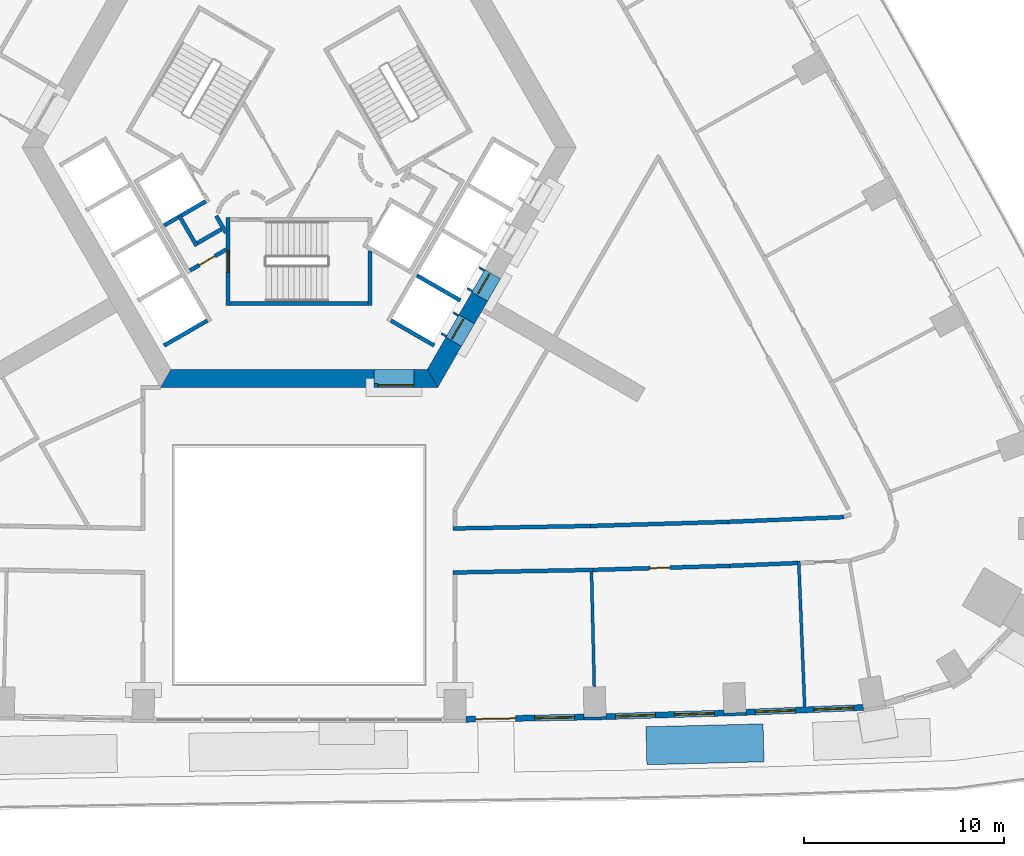
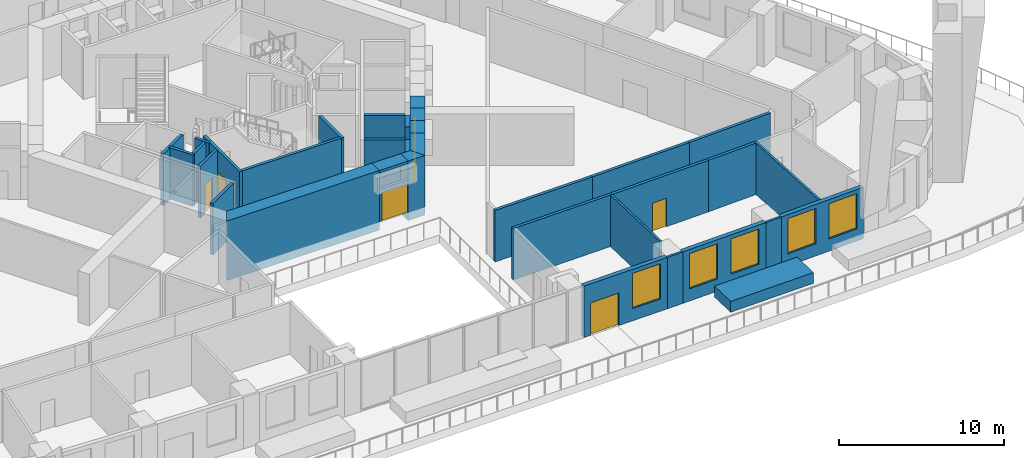
# One storey, part 6 of 16: 35 walls, 7 doors, 5 windows, 12 openings.
"""IFC4 building model written with IfcOpenShell, lengths in metres."""

from ifc_helpers import new_model, si_unit, direction, frame, frame_2d, origin, place, context, subcontext, project, spatial, polyline, rectangle, outline, extrude, material, layer, layer_set, type_object, element, fill, save


model = new_model("IFC4")

# Units and contexts
model_context = context("Model", 3, precision=1e-05, world=origin(), true_north=direction((0.0, 1.0)))
body_context = subcontext(model_context, "Body", "Model", "MODEL_VIEW")
ifc_project = project(units=[si_unit("LENGTHUNIT", "METRE"), si_unit("AREAUNIT", "SQUARE_METRE"), si_unit("VOLUMEUNIT", "CUBIC_METRE"), si_unit("PLANEANGLEUNIT", "RADIAN"), si_unit("MASSUNIT", "GRAM", prefix="KILO")], contexts=[model_context])

# Site, building, storey
site_placement = place(None, origin())
site = spatial("IfcSite", under=ifc_project, at=site_placement, CompositionType="ELEMENT")
building_placement = place(site_placement, origin())
building = spatial("IfcBuilding", under=site, at=building_placement, Name="Entoto Arch Interchange Tower", CompositionType="ELEMENT")
storey_placement = place(building_placement, frame((0.0, 0.0, 86.60009765625)))
storey = spatial("IfcBuildingStorey", under=building, at=storey_placement, Name="L18", CompositionType="ELEMENT", Elevation=86.60009765625)

# Wall, opening, door
ifc_material_1 = material(Name="Reinforced concrete C40/50", Category="concrete")
ifc_layer_1 = layer(ifc_material_1, 0.199951171875)
ifc_layer_set_1 = layer_set([ifc_layer_1], Name="Reinforced concrete C40/50")
wall_type_1 = type_object("IfcWallType", Name="CORE GAP INFILL WALL", PredefinedType="PARTITIONING", material=ifc_layer_set_1)
wall_1_placement = place(storey_placement, frame((3.75, -9.39990234375, 0.0), z_axis=(0.0, 0.0, 1.0), x_axis=(1.0, 0.0, 0.0)))
wall_1 = element("IfcWall", 1, at=wall_1_placement, inside=storey, type_object=wall_type_1, Name="wall:L18:gap1", PredefinedType="PARTITIONING", context=body_context, shape_type="SweptSolid", body=[
    extrude(rectangle(XDim=2.0, YDim=0.199951171875, at=frame_2d((1.0, 0.0))), origin(), (0.0, 0.0, 1.0), 2.39990234375),
])
opening_1_placement = place(wall_1_placement, frame((0.18994140625, 0.0, 0.0)))
opening_1 = element("IfcOpeningElement", 2, at=opening_1_placement, cuts=wall_1, Name="Opening L18-D91", PredefinedType="OPENING", context=body_context, shape_type="SweptSolid", body=[
    extrude(rectangle(XDim=1.800048828125, YDim=2.10009765625, at=frame_2d((0.89990234375, 1.050048828125))), frame((0.0, 0.10986328125, 0.0), z_axis=(0.0, -1.0, 0.0), x_axis=(1.0, 0.0, 0.0)), (0.0, 0.0, 1.0), 0.219970703125),
])
ifc_material_2 = material(Name="Fire-rated Steel S235 door and frame", Category="steel")
door_type_1 = type_object("IfcDoorType", Name="DOOR FD-18 1800x2100", OperationType="DOUBLE_DOOR_SINGLE_SWING", PredefinedType="DOOR", material=ifc_material_2)
door_1_placement = place(opening_1_placement, origin())
door_1 = element("IfcDoor", 3, at=door_1_placement, inside=storey, type_object=door_type_1, Name="door:L18:gap1", OperationType="DOUBLE_DOOR_SINGLE_SWING", OverallHeight=2.10009765625, OverallWidth=1.800048828125, PredefinedType="DOOR", context=body_context, shape_type="SweptSolid", body=[
    extrude(rectangle(XDim=1.800048828125, YDim=2.10009765625, at=frame_2d((0.89990234375, 1.050048828125))), frame((0.0, 0.02490234375, 0.0), z_axis=(0.0, -1.0, 0.0), x_axis=(1.0, 0.0, 0.0)), (0.0, 0.0, 1.0), 0.050048828125),
])
fill(opening_1, door_1)

# Walls
ifc_material_3 = material(Name="Concrete C60/75", Category="concrete")
ifc_layer_2 = layer(ifc_material_3, 0.89990234375)
ifc_layer_set_2 = layer_set([ifc_layer_2], Name="Concrete C60/75")
wall_type_2 = type_object("IfcWallType", Name="Core wall 900 C60/75", PredefinedType="SHEAR", material=ifc_layer_set_2)
wall_2_placement = place(storey_placement, frame((0.0, 0.0, -0.60009765625)))
element("IfcWall", 4, at=wall_2_placement, inside=storey, type_object=wall_type_2, Name="Core wall S L18", PredefinedType="SHEAR", context=body_context, shape_type="SweptSolid", body=[
    extrude(outline(polyline([(3.75, -9.5), (3.75, -8.60009765625), (-6.408935546875, -8.60009765625), (-6.927978515625, -9.5), (3.75, -9.5)])), origin(), (0.0, 0.0, 1.0), 4.39990234375),
])
wall_3_placement = place(storey_placement, frame((0.0, 0.0, -0.60009765625)))
element("IfcWall", 5, at=wall_3_placement, inside=storey, type_object=wall_type_2, Name="Core wall S L18", PredefinedType="SHEAR", context=body_context, shape_type="SweptSolid", body=[
    extrude(outline(polyline([(5.75, -8.60009765625), (5.75, -9.5), (6.927978515625, -9.5), (6.408935546875, -8.60009765625), (5.75, -8.60009765625)])), origin(), (0.0, 0.0, 1.0), 4.39990234375),
])
wall_4_placement = place(storey_placement, frame((0.0, 0.0, 3.599853515625)))
element("IfcWall", 6, at=wall_4_placement, inside=storey, type_object=wall_type_2, Name="Core wall lintel S L18", PredefinedType="SHEAR", context=body_context, shape_type="SweptSolid", body=[
    extrude(outline(polyline([(5.75, -9.5), (5.75, -8.60009765625), (3.75, -8.60009765625), (3.75, -9.5), (5.75, -9.5)])), origin(), (0.0, 0.0, 1.0), 0.199951171875),
])
wall_5_placement = place(storey_placement, frame((0.0, 0.0, -0.60009765625)))
element("IfcWall", 7, at=wall_5_placement, inside=storey, type_object=wall_type_2, Name="Core wall SE L18", PredefinedType="SHEAR", context=body_context, shape_type="SweptSolid", body=[
    extrude(outline(polyline([(8.116943359375, -7.43994140625), (7.337890625, -6.989990234375), (6.408935546875, -8.60009765625), (6.927978515625, -9.5), (8.116943359375, -7.43994140625)])), origin(), (0.0, 0.0, 1.0), 4.39990234375),
])
wall_6_placement = place(storey_placement, frame((0.0, 0.0, -0.60009765625)))
element("IfcWall", 8, at=wall_6_placement, inside=storey, type_object=wall_type_2, Name="Core wall SE L18", PredefinedType="SHEAR", context=body_context, shape_type="SweptSolid", body=[
    extrude(outline(polyline([(9.4169921875, -5.18896484375), (8.637939453125, -4.739013671875), (7.988037109375, -5.864013671875), (8.76708984375, -6.31396484375), (9.4169921875, -5.18896484375)])), origin(), (0.0, 0.0, 1.0), 4.39990234375),
])
wall_7_placement = place(storey_placement, frame((0.0, 0.0, 3.599853515625)))
element("IfcWall", 9, at=wall_7_placement, inside=storey, type_object=wall_type_2, Name="Core wall lintel SE L18", PredefinedType="SHEAR", context=body_context, shape_type="SweptSolid", body=[
    extrude(outline(polyline([(8.76708984375, -6.31396484375), (7.988037109375, -5.864013671875), (7.337890625, -6.989990234375), (8.116943359375, -7.43994140625), (8.76708984375, -6.31396484375)])), origin(), (0.0, 0.0, 1.0), 0.199951171875),
])
wall_8_placement = place(storey_placement, frame((0.0, 0.0, 3.599853515625)))
element("IfcWall", 10, at=wall_8_placement, inside=storey, type_object=wall_type_2, Name="Core wall lintel SE L18", PredefinedType="SHEAR", context=body_context, shape_type="SweptSolid", body=[
    extrude(outline(polyline([(10.06689453125, -4.06298828125), (9.2880859375, -3.613037109375), (8.637939453125, -4.739013671875), (9.4169921875, -5.18896484375), (10.06689453125, -4.06298828125)])), origin(), (0.0, 0.0, 1.0), 0.199951171875),
])

# Wall, opening, door
ifc_material_4 = material(Name="Concrete C40/50", Category="concrete")
ifc_layer_3 = layer(ifc_material_4, 1.199951171875)
ifc_layer_set_3 = layer_set([ifc_layer_3], Name="Concrete C40/50")
wall_type_3 = type_object("IfcWallType", Name="LIFT LANDING INFILL WALL", PredefinedType="STANDARD", material=ifc_layer_set_3)
wall_9_placement = place(storey_placement, frame((7.597900390625, -7.139892578125, 0.0), z_axis=(0.0, 0.0, 1.0), x_axis=(0.500362116554, 0.865816234728, 0.0)))
wall_9 = element("IfcWall", 11, at=wall_9_placement, inside=storey, type_object=wall_type_3, Name="Lift landing infill wall LR5 L18", PredefinedType="STANDARD", context=body_context, shape_type="SweptSolid", body=[
    extrude(rectangle(XDim=1.29931640625, YDim=1.199951171875, at=frame_2d((0.649658203125, 0.0))), origin(), (0.0, 0.0, 1.0), 2.39990234375),
])
opening_2_placement = place(wall_9_placement, frame((0.10009765625, 0.0, 0.0)))
opening_2 = element("IfcOpeningElement", 12, at=opening_2_placement, cuts=wall_9, Name="Opening LD-LR5-L18", PredefinedType="OPENING", context=body_context, shape_type="SweptSolid", body=[
    extrude(rectangle(XDim=1.10009765625, YDim=2.300048828125, at=frame_2d((0.550048828125, 1.14990234375))), frame((0.0, 0.60986328125, 0.0), z_axis=(0.0, -1.0, 0.0), x_axis=(1.0, 0.0, 0.0)), (0.0, 0.0, 1.0), 1.219970703125),
])
ifc_material_5 = material(Name="Stainless steel 1.4301 panels", Category="steel")
door_type_2 = type_object("IfcDoorType", Name="LIFT LANDING DOOR LD2 1100x2300", OperationType="SLIDING_TO_LEFT", PredefinedType="DOOR", material=ifc_material_5)
door_2_placement = place(opening_2_placement, origin())
door_2 = element("IfcDoor", 13, at=door_2_placement, inside=storey, type_object=door_type_2, Name="Lift landing door LR5 L18", OperationType="SLIDING_TO_LEFT", OverallHeight=2.300048828125, OverallWidth=1.10009765625, PredefinedType="DOOR", context=body_context, shape_type="SweptSolid", body=[
    extrude(rectangle(XDim=1.10009765625, YDim=2.300048828125, at=frame_2d((0.550048828125, 1.14990234375))), frame((0.0, 0.02490234375, 0.0), z_axis=(0.0, -1.0, 0.0), x_axis=(1.0, 0.0, 0.0)), (0.0, 0.0, 1.0), 0.050048828125),
])
fill(opening_2, door_2)

wall_10_placement = place(storey_placement, frame((8.89794921875, -4.888916015625, 0.0), z_axis=(0.0, 0.0, 1.0), x_axis=(0.500036693733, 0.866004217611, 0.0)))
wall_10 = element("IfcWall", 14, at=wall_10_placement, inside=storey, type_object=wall_type_3, Name="Lift landing infill wall LR6 L18", PredefinedType="STANDARD", context=body_context, shape_type="SweptSolid", body=[
    extrude(rectangle(XDim=1.30029296875, YDim=1.199951171875, at=frame_2d((0.650146484375, 0.0))), origin(), (0.0, 0.0, 1.0), 2.39990234375),
])
opening_3_placement = place(wall_10_placement, frame((0.10009765625, 0.0, 0.0)))
opening_3 = element("IfcOpeningElement", 15, at=opening_3_placement, cuts=wall_10, Name="Opening LD-LR6-L18", PredefinedType="OPENING", context=body_context, shape_type="SweptSolid", body=[
    extrude(rectangle(XDim=1.10009765625, YDim=2.300048828125, at=frame_2d((0.550048828125, 1.14990234375))), frame((0.0, 0.60986328125, 0.0), z_axis=(0.0, -1.0, 0.0), x_axis=(1.0, 0.0, 0.0)), (0.0, 0.0, 1.0), 1.219970703125),
])
door_3_placement = place(opening_3_placement, origin())
door_3 = element("IfcDoor", 16, at=door_3_placement, inside=storey, type_object=door_type_2, Name="Lift landing door LR6 L18", OperationType="SLIDING_TO_LEFT", OverallHeight=2.300048828125, OverallWidth=1.10009765625, PredefinedType="DOOR", context=body_context, shape_type="SweptSolid", body=[
    extrude(rectangle(XDim=1.10009765625, YDim=2.300048828125, at=frame_2d((0.550048828125, 1.14990234375))), frame((0.0, 0.02490234375, 0.0), z_axis=(0.0, -1.0, 0.0), x_axis=(1.0, 0.0, 0.0)), (0.0, 0.0, 1.0), 0.050048828125),
])
fill(opening_3, door_3)

# Walls
ifc_layer_4 = layer(ifc_material_4, 0.199951171875)
ifc_layer_set_4 = layer_set([ifc_layer_4], Name="Concrete C40/50")
wall_type_4 = type_object("IfcWallType", Name="LIFT SHAFT WALL 200", PredefinedType="STANDARD", material=ifc_layer_set_4)
wall_11_placement = place(storey_placement, frame((-4.677001953125, -0.199951171875, 0.0), z_axis=(0.0, 0.0, 1.0), x_axis=(-0.865973769406, -0.500089422704, 0.0)))
element("IfcWall", 17, at=wall_11_placement, inside=storey, type_object=wall_type_4, Name="Shaft wall SW1 cross 2", PredefinedType="STANDARD", context=body_context, shape_type="SweptSolid", body=[
    extrude(rectangle(XDim=2.3994140625, YDim=0.199951171875, at=frame_2d((1.19970703125, 0.0))), origin(), (0.0, 0.0, 1.0), 3.7998046875),
])
for number, where, z_axis, x_axis, name in (
    (18, (-4.587890625, -6.153076171875, 0.0), (0.0, 0.0, 1.0), (-0.866022959057, -0.500004234368, 0.0), "Shaft wall SW3 cross 5"),
    (19, (4.587890625, -6.153076171875, 0.0), (0.0, 0.0, 1.0), (0.866022959057, -0.500004234368, 0.0), "Shaft wall SE3 cross 1"),
    (20, (5.887939453125, -3.902099609375, 0.0), (0.0, 0.0, 1.0), (0.866022959057, -0.500004234368, 0.0), "Shaft wall SE3 cross 2"),
):
    element("IfcWall", number, at=place(storey_placement, frame(where, z_axis=z_axis, x_axis=x_axis)), inside=storey, type_object=wall_type_4, Name=name, PredefinedType="STANDARD", context=body_context, shape_type="SweptSolid", body=[
        extrude(rectangle(XDim=2.5, YDim=0.199951171875, at=frame_2d((1.25, 0.0))), origin(), (0.0, 0.0, 1.0), 3.7998046875),
    ])
ifc_material_6 = material(Name="Gypsum board partition on steel studs", Category="steel")
ifc_layer_5 = layer(ifc_material_6, 0.14990234375)
ifc_layer_set_5 = layer_set([ifc_layer_5], Name="Gypsum board partition on steel studs")
wall_type_5 = type_object("IfcWallType", Name="PARTITION 150", PredefinedType="PARTITIONING", material=ifc_layer_set_5)
wall_12_placement = place(storey_placement, frame((14.616943359375, -18.72412109375, 0.0), z_axis=(0.0, 0.0, 1.0), x_axis=(0.02407553942, -0.999710142192, 0.0)))
element("IfcWall", 21, at=wall_12_placement, inside=storey, type_object=wall_type_5, Name="wall:L18:p111", PredefinedType="PARTITIONING", context=body_context, shape_type="SweptSolid", body=[
    extrude(rectangle(XDim=5.7294921875, YDim=0.14990234375, at=frame_2d((2.86474609375, 0.0))), origin(), (0.0, 0.0, 1.0), 3.7998046875),
])
wall_13_placement = place(storey_placement, frame((24.97509765625, -18.177001953125, 0.0), z_axis=(0.0, 0.0, 1.0), x_axis=(0.040934999913, -0.999161811611, 0.0)))
element("IfcWall", 22, at=wall_13_placement, inside=storey, type_object=wall_type_5, Name="wall:L18:p112", PredefinedType="PARTITIONING", context=body_context, shape_type="SweptSolid", body=[
    extrude(rectangle(XDim=7.300048828125, YDim=0.14990234375, at=frame_2d((3.64990234375, 0.0))), origin(), (0.0, 0.0, 1.0), 3.7998046875),
])
ifc_layer_6 = layer(ifc_material_6, 0.199951171875)
ifc_layer_set_6 = layer_set([ifc_layer_6], Name="Gypsum board partition on steel studs")
wall_type_6 = type_object("IfcWallType", Name="PARTITION 200", PredefinedType="PARTITIONING", material=ifc_layer_set_6)
wall_14_placement = place(storey_placement, frame((7.699951171875, -16.551025390625, 0.0), z_axis=(0.0, 0.0, 1.0), x_axis=(0.999831478914, 0.018357934851, 0.0)))
element("IfcWall", 23, at=wall_14_placement, inside=storey, type_object=wall_type_6, Name="wall:L18:p012", PredefinedType="PARTITIONING", context=body_context, shape_type="SweptSolid", body=[
    extrude(rectangle(XDim=6.8623046875, YDim=0.199951171875, at=frame_2d((3.43115234375, 0.0))), origin(), (0.0, 0.0, 1.0), 3.7998046875),
])
wall_15_placement = place(storey_placement, frame((14.56103515625, -16.425048828125, 0.0), z_axis=(0.0, 0.0, 1.0), x_axis=(0.99955668677, 0.029772973188, 0.0)))
element("IfcWall", 24, at=wall_15_placement, inside=storey, type_object=wall_type_6, Name="wall:L18:p013", PredefinedType="PARTITIONING", context=body_context, shape_type="SweptSolid", body=[
    extrude(rectangle(XDim=6.88818359375, YDim=0.199951171875, at=frame_2d((3.444091796875, 0.0))), origin(), (0.0, 0.0, 1.0), 3.7998046875),
])
wall_16_placement = place(storey_placement, frame((21.446044921875, -16.219970703125, 0.0), z_axis=(0.0, 0.0, 1.0), x_axis=(0.999157128819, 0.041049140426, 0.0)))
element("IfcWall", 25, at=wall_16_placement, inside=storey, type_object=wall_type_6, Name="wall:L18:p014", PredefinedType="PARTITIONING", context=body_context, shape_type="SweptSolid", body=[
    extrude(rectangle(XDim=5.798828125, YDim=0.199951171875, at=frame_2d((2.8994140625, 0.0))), origin(), (0.0, 0.0, 1.0), 3.7998046875),
])
wall_17_placement = place(storey_placement, frame((14.68896484375, -18.623046875, 0.0), z_axis=(0.0, 0.0, 1.0), x_axis=(-0.99982995049, -0.01844098976, 0.0)))
element("IfcWall", 26, at=wall_17_placement, inside=storey, type_object=wall_type_6, Name="wall:L18:p031", PredefinedType="PARTITIONING", context=body_context, shape_type="SweptSolid", body=[
    extrude(rectangle(XDim=6.990234375, YDim=0.199951171875, at=frame_2d((3.4951171875, 0.0))), origin(), (0.0, 0.0, 1.0), 3.7998046875),
])
wall_18_placement = place(storey_placement, frame((24.904052734375, -18.280029296875, 0.0), z_axis=(0.0, 0.0, 1.0), x_axis=(-0.999156550882, -0.041063205305, 0.0)))
element("IfcWall", 27, at=wall_18_placement, inside=storey, type_object=wall_type_6, Name="wall:L18:p032", PredefinedType="PARTITIONING", context=body_context, shape_type="SweptSolid", body=[
    extrude(rectangle(XDim=3.383056640625, YDim=0.199951171875, at=frame_2d((1.69140625, 0.0))), origin(), (0.0, 0.0, 1.0), 3.7998046875),
])

# Wall, opening, door
wall_19_placement = place(storey_placement, frame((21.52392578125, -18.4189453125, 0.0), z_axis=(0.0, 0.0, 1.0), x_axis=(-0.999558696746, -0.029705416334, 0.0)))
wall_19 = element("IfcWall", 28, at=wall_19_placement, inside=storey, type_object=wall_type_6, Name="wall:L18:p033", PredefinedType="PARTITIONING", context=body_context, shape_type="SweptSolid", body=[
    extrude(rectangle(XDim=6.837890625, YDim=0.199951171875, at=frame_2d((3.4189453125, 0.0))), origin(), (0.0, 0.0, 1.0), 3.7998046875),
])
opening_4_placement = place(wall_19_placement, frame((2.993896484375, 0.0, 0.0)))
opening_4 = element("IfcOpeningElement", 29, at=opening_4_placement, cuts=wall_19, Name="Opening L18-D02", PredefinedType="OPENING", context=body_context, shape_type="SweptSolid", body=[
    extrude(rectangle(XDim=1.0, YDim=2.10009765625, at=frame_2d((0.5, 1.050048828125))), frame((0.0, 0.10986328125, 0.0), z_axis=(0.0, -1.0, 0.0), x_axis=(1.0, 0.0, 0.0)), (0.0, 0.0, 1.0), 0.219970703125),
])
ifc_material_7 = material(Name="Timber door leaf in Steel S235 frame", Category="steel")
door_type_3 = type_object("IfcDoorType", Name="DOOR DS-10 1000x2100", OperationType="SINGLE_SWING_LEFT", PredefinedType="DOOR", material=ifc_material_7)
door_4_placement = place(opening_4_placement, origin())
door_4 = element("IfcDoor", 30, at=door_4_placement, inside=storey, type_object=door_type_3, Name="door:L18:02", OperationType="SINGLE_SWING_LEFT", OverallHeight=2.10009765625, OverallWidth=1.0, PredefinedType="DOOR", context=body_context, shape_type="SweptSolid", body=[
    extrude(rectangle(XDim=1.0, YDim=2.10009765625, at=frame_2d((0.5, 1.050048828125))), frame((0.0, 0.02490234375, 0.0), z_axis=(0.0, -1.0, 0.0), x_axis=(1.0, 0.0, 0.0)), (0.0, 0.0, 1.0), 0.050048828125),
])
fill(opening_4, door_4)

# Walls
wall_20_placement = place(storey_placement, frame((-3.89990234375, -1.59912109375, 0.0), z_axis=(0.0, 0.0, 1.0), x_axis=(-0.865969445389, -0.500096910261, 0.0)))
element("IfcWall", 31, at=wall_20_placement, inside=storey, type_object=wall_type_6, Name="wall:L18:p072", PredefinedType="PARTITIONING", context=body_context, shape_type="SweptSolid", body=[
    extrude(rectangle(XDim=1.373291015625, YDim=0.199951171875, at=frame_2d((0.6865234375, 0.0))), origin(), (0.0, 0.0, 1.0), 3.7998046875),
])
wall_21_placement = place(storey_placement, frame((-5.1259765625, -2.422119140625, 0.0), z_axis=(0.0, 0.0, 1.0), x_axis=(-0.500062241894, 0.865989465428, 0.0)))
element("IfcWall", 32, at=wall_21_placement, inside=storey, type_object=wall_type_6, Name="wall:L18:p073", PredefinedType="PARTITIONING", context=body_context, shape_type="SweptSolid", body=[
    extrude(rectangle(XDim=1.699951171875, YDim=0.199951171875, at=frame_2d((0.85009765625, 0.0))), origin(), (0.0, 0.0, 1.0), 3.7998046875),
])

# Wall, opening, door
wall_22_placement = place(storey_placement, frame((-3.64990234375, -2.610107421875, 0.0), z_axis=(0.0, 0.0, 1.0), x_axis=(-0.866072462134, -0.499918483688, 0.0)))
wall_22 = element("IfcWall", 33, at=wall_22_placement, inside=storey, type_object=wall_type_6, Name="wall:L18:p074", PredefinedType="PARTITIONING", context=body_context, shape_type="SweptSolid", body=[
    extrude(rectangle(XDim=2.084228515625, YDim=0.199951171875, at=frame_2d((1.0419921875, 0.0))), origin(), (0.0, 0.0, 1.0), 3.7998046875),
])
opening_5_placement = place(wall_22_placement, frame((0.64208984375, 0.0, 0.0)))
opening_5 = element("IfcOpeningElement", 34, at=opening_5_placement, cuts=wall_22, Name="Opening L18-D35", PredefinedType="OPENING", context=body_context, shape_type="SweptSolid", body=[
    extrude(rectangle(XDim=0.89990234375, YDim=2.10009765625, at=frame_2d((0.449951171875, 1.050048828125))), frame((0.0, 0.10986328125, 0.0), z_axis=(0.0, -1.0, 0.0), x_axis=(1.0, 0.0, 0.0)), (0.0, 0.0, 1.0), 0.219970703125),
])
door_type_4 = type_object("IfcDoorType", Name="DOOR DS-09 900x2100", OperationType="SINGLE_SWING_LEFT", PredefinedType="DOOR", material=ifc_material_7)
door_5_placement = place(opening_5_placement, origin())
door_5 = element("IfcDoor", 35, at=door_5_placement, inside=storey, type_object=door_type_4, Name="door:L18:35", OperationType="SINGLE_SWING_LEFT", OverallHeight=2.10009765625, OverallWidth=0.89990234375, PredefinedType="DOOR", context=body_context, shape_type="SweptSolid", body=[
    extrude(rectangle(XDim=0.89990234375, YDim=2.10009765625, at=frame_2d((0.449951171875, 1.050048828125))), frame((0.0, 0.02490234375, 0.0), z_axis=(0.0, -1.0, 0.0), x_axis=(1.0, 0.0, 0.0)), (0.0, 0.0, 1.0), 0.050048828125),
])
fill(opening_5, door_5)

# Walls
wall_23_placement = place(storey_placement, frame((-4.14501953125, -0.919921875, 0.0), z_axis=(0.0, 0.0, 1.0), x_axis=(0.499743786207, -0.866173278362, 0.0)))
element("IfcWall", 36, at=wall_23_placement, inside=storey, type_object=wall_type_6, Name="wall:L18:p076", PredefinedType="PARTITIONING", context=body_context, shape_type="SweptSolid", body=[
    extrude(rectangle(XDim=0.99072265625, YDim=0.199951171875, at=frame_2d((0.495361328125, 0.0))), origin(), (0.0, 0.0, 1.0), 3.7998046875),
])
ifc_material_8 = material(Name="Board-marked precast concrete C50/60", Category="concrete")
ifc_layer_7 = layer(ifc_material_8, 1.89990234375)
ifc_layer_set_7 = layer_set([ifc_layer_7], Name="Board-marked precast concrete C50/60")
wall_type_7 = type_object("IfcWallType", Name="PLANTER RC 1900 Afrocarpus falcatus", PredefinedType="STANDARD", material=ifc_layer_set_7)
wall_24_placement = place(storey_placement, frame((17.35888671875, -27.4130859375, 0.0), z_axis=(0.0, 0.0, 1.0), x_axis=(0.999697941593, 0.02457693177, 0.0)))
element("IfcWall", 37, at=wall_24_placement, inside=storey, type_object=wall_type_7, Name="Terrace planter S-06 L18", PredefinedType="STANDARD", context=body_context, shape_type="SweptSolid", body=[
    extrude(rectangle(XDim=5.86083984375, YDim=1.89990234375, at=frame_2d((2.930419921875, 0.0))), origin(), (0.0, 0.0, 1.0), 0.7998046875),
])

# Wall, opening, door
ifc_layer_8 = layer(ifc_material_4, 0.199951171875)
ifc_layer_set_8 = layer_set([ifc_layer_8], Name="Concrete C40/50")
wall_type_8 = type_object("IfcWallType", Name="STAIR ENCLOSURE WALL 200", PredefinedType="STANDARD", material=ifc_layer_set_8)
wall_25_placement = place(storey_placement, frame((-3.550048828125, -1.0, 0.0), z_axis=(0.0, 0.0, 1.0), x_axis=(0.0, -1.0, 0.0)))
wall_25 = element("IfcWall", 38, at=wall_25_placement, inside=storey, type_object=wall_type_8, Name="Stair wall ST-S near", PredefinedType="STANDARD", context=body_context, shape_type="SweptSolid", body=[
    extrude(rectangle(XDim=4.39990234375, YDim=0.199951171875, at=frame_2d((2.199951171875, 0.0))), origin(), (0.0, 0.0, 1.0), 3.7998046875),
])
opening_6_placement = place(wall_25_placement, frame((1.64990234375, 0.0, 0.0)))
opening_6 = element("IfcOpeningElement", 39, at=opening_6_placement, cuts=wall_25, Name="Opening SD-ST-S-L18-E", PredefinedType="OPENING", context=body_context, shape_type="SweptSolid", body=[
    extrude(rectangle(XDim=1.10009765625, YDim=2.199951171875, at=frame_2d((0.550048828125, 1.10009765625))), frame((0.0, 0.10986328125, 0.0), z_axis=(0.0, -1.0, 0.0), x_axis=(1.0, 0.0, 0.0)), (0.0, 0.0, 1.0), 0.219970703125),
])
ifc_material_9 = material(Name="Steel S235", Category="steel")
door_type_5 = type_object("IfcDoorType", Name="STAIR DOOR SD1 1100x2200", OperationType="SINGLE_SWING_LEFT", PredefinedType="DOOR", material=ifc_material_9)
door_6_placement = place(opening_6_placement, origin())
door_6 = element("IfcDoor", 40, at=door_6_placement, inside=storey, type_object=door_type_5, Name="Stair door ST-S L18 end", OperationType="SINGLE_SWING_LEFT", OverallHeight=2.199951171875, OverallWidth=1.10009765625, PredefinedType="DOOR", context=body_context, shape_type="SweptSolid", body=[
    extrude(rectangle(XDim=1.10009765625, YDim=2.199951171875, at=frame_2d((0.550048828125, 1.10009765625))), frame((0.0, 0.02490234375, 0.0), z_axis=(0.0, -1.0, 0.0), x_axis=(1.0, 0.0, 0.0)), (0.0, 0.0, 1.0), 0.050048828125),
])
fill(opening_6, door_6)

# Walls
wall_26_placement = place(storey_placement, frame((3.550048828125, -2.6669921875, 0.0), z_axis=(0.0, 0.0, 1.0), x_axis=(0.0, -1.0, 0.0)))
element("IfcWall", 41, at=wall_26_placement, inside=storey, type_object=wall_type_8, Name="Stair wall ST-S far", PredefinedType="STANDARD", context=body_context, shape_type="SweptSolid", body=[
    extrude(rectangle(XDim=2.73291015625, YDim=0.199951171875, at=frame_2d((1.366455078125, 0.0))), origin(), (0.0, 0.0, 1.0), 3.7998046875),
])
wall_27_placement = place(storey_placement, frame((-3.449951171875, -5.300048828125, 0.0), z_axis=(0.0, 0.0, 1.0), x_axis=(1.0, 0.0, 0.0)))
element("IfcWall", 42, at=wall_27_placement, inside=storey, type_object=wall_type_8, Name="Stair wall ST-S back", PredefinedType="STANDARD", context=body_context, shape_type="SweptSolid", body=[
    extrude(rectangle(XDim=6.89990234375, YDim=0.199951171875, at=frame_2d((3.449951171875, 0.0))), origin(), (0.0, 0.0, 1.0), 3.7998046875),
])

# Wall, openings, door, window
ifc_material_10 = material(Name="Welded tuff (ignimbrite) cladding, warm buff", Category="masonry")
ifc_layer_9 = layer(ifc_material_10, 0.300048828125)
ifc_layer_set_9 = layer_set([ifc_layer_9], Name="Welded tuff (ignimbrite) cladding, warm buff")
wall_type_9 = type_object("IfcWallType", Name="STONE INFILL WALL 300", PredefinedType="STANDARD", material=ifc_layer_set_9)
wall_28_placement = place(storey_placement, frame((8.347900390625, -26.091064453125, 0.0), z_axis=(0.0, 0.0, 1.0), x_axis=(0.999828633111, 0.018512277318, 0.0)))
wall_28 = element("IfcWall", 43, at=wall_28_placement, inside=storey, type_object=wall_type_9, Name="Facade wall S-05 L18", PredefinedType="STANDARD", context=body_context, shape_type="SweptSolid", body=[
    extrude(rectangle(XDim=5.89501953125, YDim=0.300048828125, at=frame_2d((2.947509765625, 0.0))), origin(), (0.0, 0.0, 1.0), 3.7998046875),
])
opening_7_placement = place(wall_28_placement, frame((0.47412109375, 0.0, 0.0)))
opening_7 = element("IfcOpeningElement", 44, at=opening_7_placement, cuts=wall_28, Name="Opening DT-S-05-L18", PredefinedType="OPENING", context=body_context, shape_type="SweptSolid", body=[
    extrude(rectangle(XDim=2.0, YDim=2.39990234375, at=frame_2d((1.0, 1.199951171875))), frame((0.0, 0.16015625, 0.0), z_axis=(0.0, -1.0, 0.0), x_axis=(1.0, 0.0, 0.0)), (0.0, 0.0, 1.0), 0.320068359375),
])
opening_8_placement = place(wall_28_placement, frame((3.4208984375, 0.0, 0.89990234375)))
opening_8 = element("IfcOpeningElement", 45, at=opening_8_placement, cuts=wall_28, Name="Opening WO-C", PredefinedType="OPENING", context=body_context, shape_type="SweptSolid", body=[
    extrude(rectangle(XDim=2.0, YDim=2.60009765625, at=frame_2d((1.0, 1.300048828125))), frame((0.0, 0.16015625, 0.0), z_axis=(0.0, -1.0, 0.0), x_axis=(1.0, 0.0, 0.0)), (0.0, 0.0, 1.0), 0.320068359375),
])
ifc_material_11 = material(Name="Aluminium and clear glass, anodised", Category="aluminium")
door_type_6 = type_object("IfcDoorType", Name="TERRACE DOOR DT 2000x2400", OperationType="SLIDING_TO_LEFT", PredefinedType="DOOR", material=ifc_material_11)
door_7_placement = place(opening_7_placement, origin())
door_7 = element("IfcDoor", 46, at=door_7_placement, inside=storey, type_object=door_type_6, Name="Terrace door S-05 L18", OperationType="SLIDING_TO_LEFT", OverallHeight=2.39990234375, OverallWidth=2.0, PredefinedType="DOOR", context=body_context, shape_type="SweptSolid", body=[
    extrude(rectangle(XDim=2.0, YDim=2.39990234375, at=frame_2d((1.0, 1.199951171875))), frame((0.0, 0.02490234375, 0.0), z_axis=(0.0, -1.0, 0.0), x_axis=(1.0, 0.0, 0.0)), (0.0, 0.0, 1.0), 0.050048828125),
])
fill(opening_7, door_7)
ifc_material_12 = material(Name="Clear glass, low-e double glazed", Category="glass")
window_type = type_object("IfcWindowType", Name="WINDOW WO-C 2000x2600", PartitioningType="DOUBLE_PANEL_VERTICAL", PredefinedType="WINDOW", material=ifc_material_12)
window_1_placement = place(opening_8_placement, origin())
window_1 = element("IfcWindow", 47, at=window_1_placement, inside=storey, type_object=window_type, Name="Window WO-C S-05 L18", OverallHeight=2.60009765625, OverallWidth=2.0, PartitioningType="SINGLE_PANEL", PredefinedType="WINDOW", context=body_context, shape_type="SweptSolid", body=[
    extrude(rectangle(XDim=2.0, YDim=2.60009765625, at=frame_2d((1.0, 1.300048828125))), frame((0.0, 0.030029296875, 0.0), z_axis=(0.0, -1.0, 0.0), x_axis=(1.0, 0.0, 0.0)), (0.0, 0.0, 1.0), 0.06005859375),
])
fill(opening_8, window_1)

# Wall, openings, windows
wall_29_placement = place(storey_placement, frame((15.340087890625, -25.9560546875, 0.0), z_axis=(0.0, 0.0, 1.0), x_axis=(0.999554487555, 0.029846715213, 0.0)))
wall_29 = element("IfcWall", 48, at=wall_29_placement, inside=storey, type_object=wall_type_9, Name="Facade wall S-06 L18", PredefinedType="STANDARD", context=body_context, shape_type="SweptSolid", body=[
    extrude(rectangle(XDim=5.897705078125, YDim=0.300048828125, at=frame_2d((2.94873046875, 0.0))), origin(), (0.0, 0.0, 1.0), 3.7998046875),
])
opening_9_placement = place(wall_29_placement, frame((0.47412109375, 0.0, 0.89990234375)))
opening_9 = element("IfcOpeningElement", 49, at=opening_9_placement, cuts=wall_29, Name="Opening WO-C", PredefinedType="OPENING", context=body_context, shape_type="SweptSolid", body=[
    extrude(rectangle(XDim=2.0, YDim=2.60009765625, at=frame_2d((1.0, 1.300048828125))), frame((0.0, 0.16015625, 0.0), z_axis=(0.0, -1.0, 0.0), x_axis=(1.0, 0.0, 0.0)), (0.0, 0.0, 1.0), 0.320068359375),
])
opening_10_placement = place(wall_29_placement, frame((3.423095703125, 0.0, 0.89990234375)))
opening_10 = element("IfcOpeningElement", 50, at=opening_10_placement, cuts=wall_29, Name="Opening WO-C", PredefinedType="OPENING", context=body_context, shape_type="SweptSolid", body=[
    extrude(rectangle(XDim=2.0, YDim=2.60009765625, at=frame_2d((1.0, 1.300048828125))), frame((0.0, 0.16015625, 0.0), z_axis=(0.0, -1.0, 0.0), x_axis=(1.0, 0.0, 0.0)), (0.0, 0.0, 1.0), 0.320068359375),
])
window_2_placement = place(opening_9_placement, origin())
window_2 = element("IfcWindow", 51, at=window_2_placement, inside=storey, type_object=window_type, Name="Window WO-C S-06 L18", OverallHeight=2.60009765625, OverallWidth=2.0, PartitioningType="SINGLE_PANEL", PredefinedType="WINDOW", context=body_context, shape_type="SweptSolid", body=[
    extrude(rectangle(XDim=2.0, YDim=2.60009765625, at=frame_2d((1.0, 1.300048828125))), frame((0.0, 0.030029296875, 0.0), z_axis=(0.0, -1.0, 0.0), x_axis=(1.0, 0.0, 0.0)), (0.0, 0.0, 1.0), 0.06005859375),
])
fill(opening_9, window_2)
window_3_placement = place(opening_10_placement, origin())
window_3 = element("IfcWindow", 52, at=window_3_placement, inside=storey, type_object=window_type, Name="Window WO-C S-06 L18", OverallHeight=2.60009765625, OverallWidth=2.0, PartitioningType="SINGLE_PANEL", PredefinedType="WINDOW", context=body_context, shape_type="SweptSolid", body=[
    extrude(rectangle(XDim=2.0, YDim=2.60009765625, at=frame_2d((1.0, 1.300048828125))), frame((0.0, 0.030029296875, 0.0), z_axis=(0.0, -1.0, 0.0), x_axis=(1.0, 0.0, 0.0)), (0.0, 0.0, 1.0), 0.06005859375),
])
fill(opening_10, window_3)

wall_30_placement = place(storey_placement, frame((22.33203125, -25.741943359375, 0.0), z_axis=(0.0, 0.0, 1.0), x_axis=(0.999159360905, 0.040994774244, 0.0)))
wall_30 = element("IfcWall", 53, at=wall_30_placement, inside=storey, type_object=wall_type_9, Name="Facade wall S-07 L18", PredefinedType="STANDARD", context=body_context, shape_type="SweptSolid", body=[
    extrude(rectangle(XDim=5.8779296875, YDim=0.300048828125, at=frame_2d((2.93896484375, 0.0))), origin(), (0.0, 0.0, 1.0), 3.7998046875),
])
opening_11_placement = place(wall_30_placement, frame((0.468994140625, 0.0, 0.89990234375)))
opening_11 = element("IfcOpeningElement", 54, at=opening_11_placement, cuts=wall_30, Name="Opening WO-C", PredefinedType="OPENING", context=body_context, shape_type="SweptSolid", body=[
    extrude(rectangle(XDim=2.0, YDim=2.60009765625, at=frame_2d((1.0, 1.300048828125))), frame((0.0, 0.16015625, 0.0), z_axis=(0.0, -1.0, 0.0), x_axis=(1.0, 0.0, 0.0)), (0.0, 0.0, 1.0), 0.320068359375),
])
opening_12_placement = place(wall_30_placement, frame((3.407958984375, 0.0, 0.89990234375)))
opening_12 = element("IfcOpeningElement", 55, at=opening_12_placement, cuts=wall_30, Name="Opening WO-C", PredefinedType="OPENING", context=body_context, shape_type="SweptSolid", body=[
    extrude(rectangle(XDim=2.0, YDim=2.60009765625, at=frame_2d((1.0, 1.300048828125))), frame((0.0, 0.16015625, 0.0), z_axis=(0.0, -1.0, 0.0), x_axis=(1.0, 0.0, 0.0)), (0.0, 0.0, 1.0), 0.320068359375),
])
window_4_placement = place(opening_11_placement, origin())
window_4 = element("IfcWindow", 56, at=window_4_placement, inside=storey, type_object=window_type, Name="Window WO-C S-07 L18", OverallHeight=2.60009765625, OverallWidth=2.0, PartitioningType="SINGLE_PANEL", PredefinedType="WINDOW", context=body_context, shape_type="SweptSolid", body=[
    extrude(rectangle(XDim=2.0, YDim=2.60009765625, at=frame_2d((1.0, 1.300048828125))), frame((0.0, 0.030029296875, 0.0), z_axis=(0.0, -1.0, 0.0), x_axis=(1.0, 0.0, 0.0)), (0.0, 0.0, 1.0), 0.06005859375),
])
fill(opening_11, window_4)
window_5_placement = place(opening_12_placement, origin())
window_5 = element("IfcWindow", 57, at=window_5_placement, inside=storey, type_object=window_type, Name="Window WO-C S-07 L18", OverallHeight=2.60009765625, OverallWidth=2.0, PartitioningType="SINGLE_PANEL", PredefinedType="WINDOW", context=body_context, shape_type="SweptSolid", body=[
    extrude(rectangle(XDim=2.0, YDim=2.60009765625, at=frame_2d((1.0, 1.300048828125))), frame((0.0, 0.030029296875, 0.0), z_axis=(0.0, -1.0, 0.0), x_axis=(1.0, 0.0, 0.0)), (0.0, 0.0, 1.0), 0.06005859375),
])
fill(opening_12, window_5)

# Walls
ifc_layer_10 = layer(ifc_material_10, 0.14990234375)
ifc_layer_set_10 = layer_set([ifc_layer_10], Name="Welded tuff (ignimbrite) cladding, warm buff")
wall_type_10 = type_object("IfcWallType", Name="STONE PIER CLADDING 150", PredefinedType="STANDARD", material=ifc_layer_set_10)
wall_31_placement = place(storey_placement, frame((14.242919921875, -26.06005859375, 0.0), z_axis=(0.0, 0.0, 1.0), x_axis=(0.999718180159, 0.023739424163, 0.0)))
element("IfcWall", 58, at=wall_31_placement, inside=storey, type_object=wall_type_10, Name="Stone pier S06 L18", PredefinedType="STANDARD", context=body_context, shape_type="SweptSolid", body=[
    extrude(rectangle(XDim=1.100341796875, YDim=0.14990234375, at=frame_2d((0.55029296875, 0.0))), origin(), (0.0, 0.0, 1.0), 3.7998046875),
])
wall_32_placement = place(storey_placement, frame((21.237060546875, -25.85888671875, 0.0), z_axis=(0.0, 0.0, 1.0), x_axis=(0.999376638472, 0.035303462679, 0.0)))
element("IfcWall", 59, at=wall_32_placement, inside=storey, type_object=wall_type_10, Name="Stone pier S07 L18", PredefinedType="STANDARD", context=body_context, shape_type="SweptSolid", body=[
    extrude(rectangle(XDim=1.099609375, YDim=0.14990234375, at=frame_2d((0.5498046875, 0.0))), origin(), (0.0, 0.0, 1.0), 3.7998046875),
])

save(model, "model.ifc")
